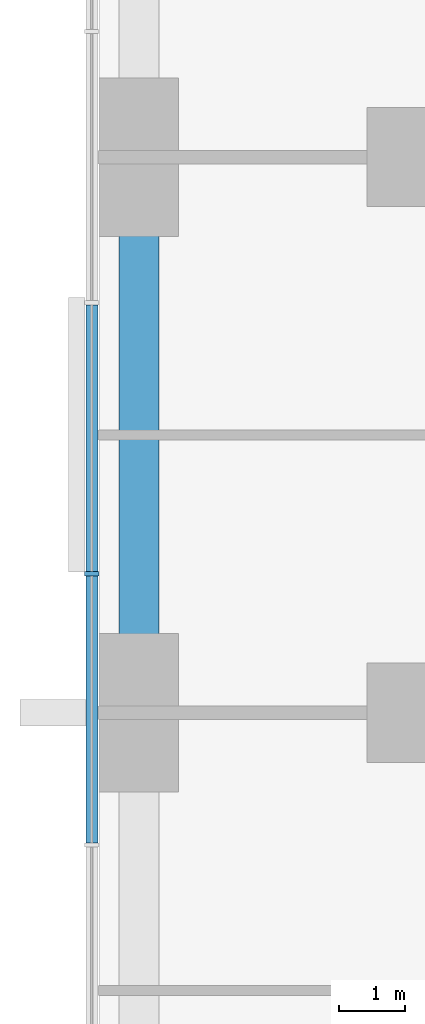
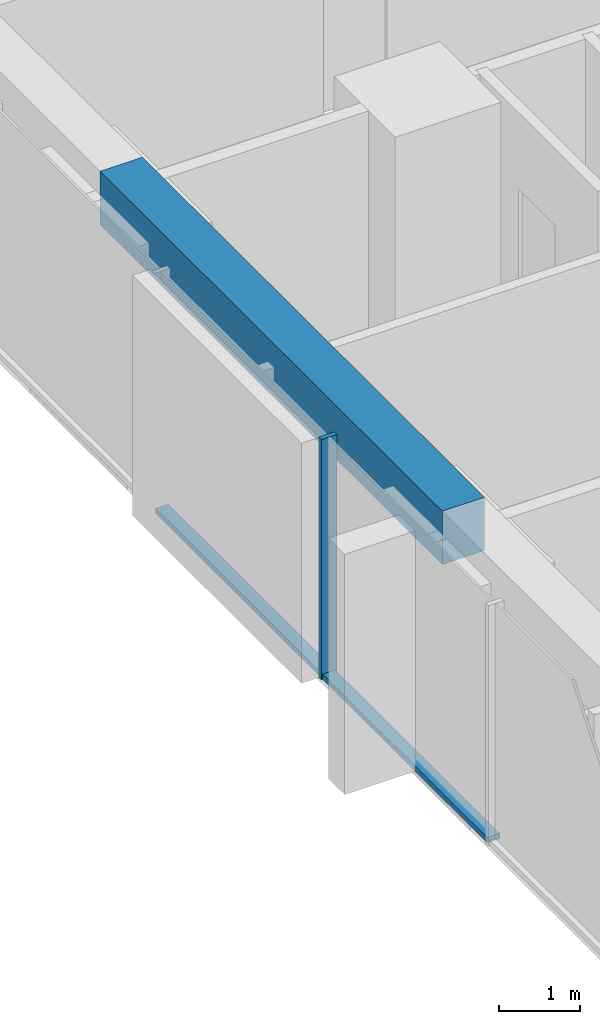
# One storey, part 3 of 14: 3 members, 1 beam, 1 element without a shape of its own.
"""IFC4 building model written with IfcOpenShell, lengths in metres."""

from ifc_helpers import new_model, si_unit, direction, frame, origin, origin_2d, place, context, subcontext, project, spatial, rectangle, extrude, material, material_profile, profile_set, type_object, element, aggregate, save


model = new_model("IFC4")

# Units and contexts
model_context = context("Model", 3, precision=1e-05, world=origin(), true_north=direction((0.0, 1.0)))
body_context = subcontext(model_context, "Body", "Model", "MODEL_VIEW")
ifc_project = project(units=[si_unit("LENGTHUNIT", "METRE"), si_unit("AREAUNIT", "SQUARE_METRE"), si_unit("VOLUMEUNIT", "CUBIC_METRE"), si_unit("PLANEANGLEUNIT", "RADIAN"), si_unit("MASSUNIT", "GRAM", prefix="KILO")], contexts=[model_context])

# Site, building, storey
site_placement = place(None, origin())
site = spatial("IfcSite", under=ifc_project, at=site_placement, CompositionType="ELEMENT")
building_placement = place(site_placement, origin())
building = spatial("IfcBuilding", under=site, at=building_placement, Name="Dunama Terrace Hotel", CompositionType="ELEMENT")
storey_placement = place(building_placement, frame((0.0, 0.0, 100.800048828125)))
storey = spatial("IfcBuildingStorey", under=building, at=storey_placement, Name="L25", CompositionType="ELEMENT", Elevation=100.800048828125)

# Curtain wall, members
ifc_material_1 = material(Name="Aluminium curtain wall system", Category="aluminium")
curtain_wall_type = type_object("IfcCurtainWallType", Name="Unitised fritted glass wall CW-B", PredefinedType="NOTDEFINED", material=ifc_material_1)
curtain_wall_placement = place(storey_placement, origin())
curtain_wall = element("IfcCurtainWall", 1, at=curtain_wall_placement, inside=storey, type_object=curtain_wall_type, Name="Unitised fritted glass wall CW-B L25", PredefinedType="NOTDEFINED")
ifc_material_2 = material(Name="Aluminium mullion", Category="aluminium")
ifc_material_profile_1 = material_profile(ifc_material_2, rectangle(XDim=0.06494140625, YDim=0.219970703125, at=origin_2d()), Name="CWB MULLION 65X220")
ifc_profile_set_1 = profile_set([ifc_material_profile_1], Name="Aluminium mullion")
member_type_1 = type_object("IfcMemberType", Name="CWB mullion 65x220", PredefinedType="MULLION", material=ifc_profile_set_1)
member_1_placement = place(storey_placement, frame((-0.110107421875, 27.300048828125, 0.0), z_axis=(0.0, 0.0, 1.0), x_axis=(0.0, -1.0, 0.0)))
member_1 = element("IfcMember", 2, at=member_1_placement, type_object=member_type_1, Name="CWB mullion", PredefinedType="MULLION", context=body_context, shape_type="SweptSolid", body=[
    extrude(rectangle(XDim=0.06494140625, YDim=0.219970703125, at=origin_2d()), origin(), (0.0, 0.0, 1.0), 3.599853515625),
])
ifc_material_3 = material(Name="Aluminium transom", Category="aluminium")
ifc_material_profile_2 = material_profile(ifc_material_3, rectangle(XDim=0.179931640625, YDim=0.080078125, at=origin_2d()), Name="CWB TRANSOM 180X80")
ifc_profile_set_2 = profile_set([ifc_material_profile_2], Name="Aluminium transom")
member_type_2 = type_object("IfcMemberType", Name="CWB transom 180x80", PredefinedType="USERDEFINED", material=ifc_profile_set_2)
member_2_placement = place(storey_placement, frame((-0.110107421875, 31.366943359375, 0.0400390625), z_axis=(0.0, -1.0, 0.0), x_axis=(1.0, 0.0, 0.0)))
member_2 = element("IfcMember", 3, at=member_2_placement, type_object=member_type_2, Name="CWB transom", ObjectType="TRANSOM", PredefinedType="USERDEFINED", context=body_context, shape_type="SweptSolid", body=[
    extrude(rectangle(XDim=0.179931640625, YDim=0.080078125, at=origin_2d()), origin(), (0.0, 0.0, 1.0), 4.034912109375),
])
member_3_placement = place(storey_placement, frame((-0.110107421875, 27.26806640625, 0.0400390625), z_axis=(0.0, -1.0, 0.0), x_axis=(1.0, 0.0, 0.0)))
member_3 = element("IfcMember", 4, at=member_3_placement, type_object=member_type_2, Name="CWB transom", ObjectType="TRANSOM", PredefinedType="USERDEFINED", context=body_context, shape_type="SweptSolid", body=[
    extrude(rectangle(XDim=0.179931640625, YDim=0.080078125, at=origin_2d()), origin(), (0.0, 0.0, 1.0), 4.03515625),
])
aggregate(curtain_wall, [member_1, member_2, member_3])

# Beam
ifc_material_4 = material(Name="Concrete C40/50", Category="concrete")
ifc_material_profile_3 = material_profile(ifc_material_4, rectangle(XDim=0.60009765625, YDim=0.800048828125, at=origin_2d()), Name="RC 600x800")
ifc_profile_set_3 = profile_set([ifc_material_profile_3], Name="Concrete C40/50")
beam_type = type_object("IfcBeamType", Name="Edge beam RC 600x800", PredefinedType="SPANDREL", material=ifc_profile_set_3)
beam_placement = place(storey_placement, frame((0.60009765625, 25.199951171875, 3.199951171875), z_axis=(0.0, 1.0, 0.0), x_axis=(-1.0, 0.0, 0.0)))
element("IfcBeam", 5, at=beam_placement, inside=storey, type_object=beam_type, Name="Edge beam under L26", PredefinedType="SPANDREL", context=body_context, shape_type="SweptSolid", body=[
    extrude(rectangle(XDim=0.60009765625, YDim=0.800048828125, at=origin_2d()), origin(), (0.0, 0.0, 1.0), 8.400146484375),
])

save(model, "model.ifc")
